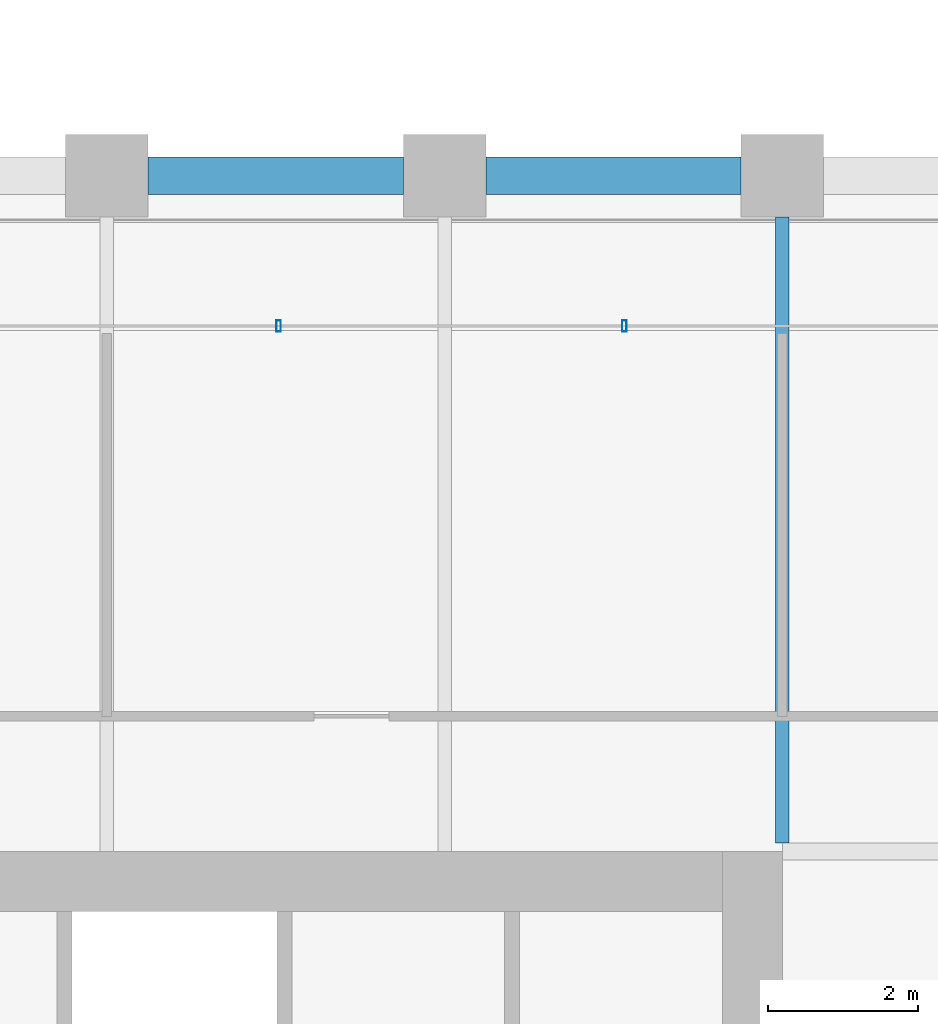
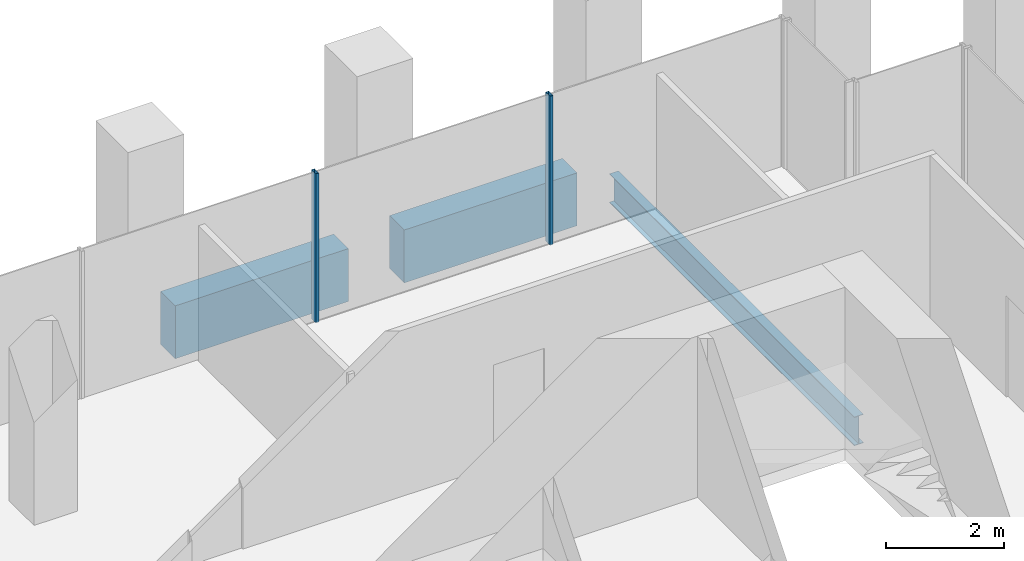
# One storey, part 44 of 54: 3 beams, 2 members, 1 element without a shape of its own.
"""IFC4 building model written with IfcOpenShell, lengths in metres."""

from ifc_helpers import new_model, si_unit, direction, frame, origin, origin_2d, place, context, subcontext, project, spatial, rectangle, hollow_rectangle, i_section, extrude, material, material_profile, profile_set, type_object, element, aggregate, save


model = new_model("IFC4")

# Units and contexts
model_context = context("Model", 3, precision=1e-05, world=origin(), true_north=direction((0.0, 1.0)))
body_context = subcontext(model_context, "Body", "Model", "MODEL_VIEW")
ifc_project = project(units=[si_unit("LENGTHUNIT", "METRE"), si_unit("AREAUNIT", "SQUARE_METRE"), si_unit("VOLUMEUNIT", "CUBIC_METRE"), si_unit("PLANEANGLEUNIT", "RADIAN"), si_unit("MASSUNIT", "GRAM", prefix="KILO")], contexts=[model_context])

# Site, building, storey
site_placement = place(None, origin())
site = spatial("IfcSite", under=ifc_project, at=site_placement, CompositionType="ELEMENT")
building_placement = place(site_placement, origin())
building = spatial("IfcBuilding", under=site, at=building_placement, Name="Altepetl Exchange Towers", CompositionType="ELEMENT")
storey_placement = place(building_placement, frame((0.0, 0.0, 58.199951171875)))
storey = spatial("IfcBuildingStorey", under=building, at=storey_placement, Name="L13", CompositionType="ELEMENT", Elevation=58.199951171875)

# Beam
ifc_material_1 = material(Name="Steel S355", Category="steel")
ifc_material_profile_1 = material_profile(ifc_material_1, i_section(OverallWidth=0.177978515625, OverallDepth=0.59912109375, WebThickness=0.010009765625, FlangeThickness=0.0126953125, at=origin_2d()), Name="W24X55")
ifc_profile_set_1 = profile_set([ifc_material_profile_1], Name="Steel S355")
beam_type_1 = type_object("IfcBeamType", Name="Floor beam W24X55", PredefinedType="BEAM", material=ifc_profile_set_1)
beam_placement = place(storey_placement, frame((117.0, 49.614013671875, -0.449462890625), z_axis=(0.0, 1.0, 0.0), x_axis=(-1.0, 0.0, 0.0)))
element("IfcBeam", 1, at=beam_placement, inside=storey, type_object=beam_type_1, Name="bm:B:L13:002", PredefinedType="BEAM", context=body_context, shape_type="SweptSolid", body=[
    extrude(i_section(OverallWidth=0.177978515625, OverallDepth=0.59912109375, WebThickness=0.010009765625, FlangeThickness=0.0126953125, at=origin_2d()), origin(), (0.0, 0.0, 1.0), 8.3359375),
])

# Curtain wall, members
ifc_material_2 = material(Name="Aluminium 6063-T6 glazing", Category="aluminium")
curtain_wall_type = type_object("IfcCurtainWallType", Name="Loggia glazing system", PredefinedType="NOTDEFINED", material=ifc_material_2)
curtain_wall_placement = place(storey_placement, origin())
curtain_wall = element("IfcCurtainWall", 2, at=curtain_wall_placement, inside=storey, type_object=curtain_wall_type, Name="CW1 run", PredefinedType="NOTDEFINED")
ifc_material_3 = material(Name="Aluminium 6063-T6", Category="aluminium")
ifc_material_profile_2 = material_profile(ifc_material_3, hollow_rectangle(XDim=0.06005859375, YDim=0.14990234375, WallThickness=0.0029296875, at=origin_2d()), Name="Mullion 60x150 aluminium")
ifc_profile_set_2 = profile_set([ifc_material_profile_2], Name="Aluminium 6063-T6")
member_type = type_object("IfcMemberType", Name="Mullion 60x150 aluminium", PredefinedType="MULLION", material=ifc_profile_set_2)
member_1_placement = place(storey_placement, frame((114.893798828125, 56.5, 0.0), z_axis=(0.0, 0.0, 1.0), x_axis=(-1.0, 0.0, 0.0)))
member_1 = element("IfcMember", 3, at=member_1_placement, type_object=member_type, Name="MU1 mullion", PredefinedType="MULLION", context=body_context, shape_type="SweptSolid", body=[
    extrude(hollow_rectangle(XDim=0.06005859375, YDim=0.14990234375, WallThickness=0.0029296875, at=origin_2d()), origin(), (0.0, 0.0, 1.0), 3.10009765625),
])
member_2_placement = place(storey_placement, frame((110.28759765625, 56.5, 0.0), z_axis=(0.0, 0.0, 1.0), x_axis=(-1.0, 0.0, 0.0)))
member_2 = element("IfcMember", 4, at=member_2_placement, type_object=member_type, Name="MU1 mullion", PredefinedType="MULLION", context=body_context, shape_type="SweptSolid", body=[
    extrude(hollow_rectangle(XDim=0.06005859375, YDim=0.14990234375, WallThickness=0.0029296875, at=origin_2d()), origin(), (0.0, 0.0, 1.0), 3.10009765625),
])
aggregate(curtain_wall, [member_1, member_2])

# Beams
ifc_material_4 = material(Name="Concrete C50/60 precast with cantera amarilla facing", Category="concrete")
ifc_material_profile_3 = material_profile(ifc_material_4, rectangle(XDim=0.5, YDim=1.10009765625, at=origin_2d()), Name="500 x 1100")
ifc_profile_set_3 = profile_set([ifc_material_profile_3], Name="Concrete C50/60 precast with cantera amarilla facing")
beam_type_2 = type_object("IfcBeamType", Name="Spandrel beam 500x1100 cantera amarilla", PredefinedType="SPANDREL", material=ifc_profile_set_3)
for number, where, z_axis, x_axis, name in (
    (5, (116.449951171875, 58.5, -0.699951171875), (-1.0, 0.0, 0.0), (0.0, -1.0, 0.0), "sp:B:L13:019"),
    (6, (111.949951171875, 58.5, -0.699951171875), (-1.0, 0.0, 0.0), (0.0, -1.0, 0.0), "sp:B:L13:020"),
):
    element("IfcBeam", number, at=place(storey_placement, frame(where, z_axis=z_axis, x_axis=x_axis)), inside=storey, type_object=beam_type_2, Name=name, PredefinedType="SPANDREL", context=body_context, shape_type="SweptSolid", body=[
        extrude(rectangle(XDim=0.5, YDim=1.10009765625, at=origin_2d()), origin(), (0.0, 0.0, 1.0), 3.39990234375),
    ])

save(model, "model.ifc")
